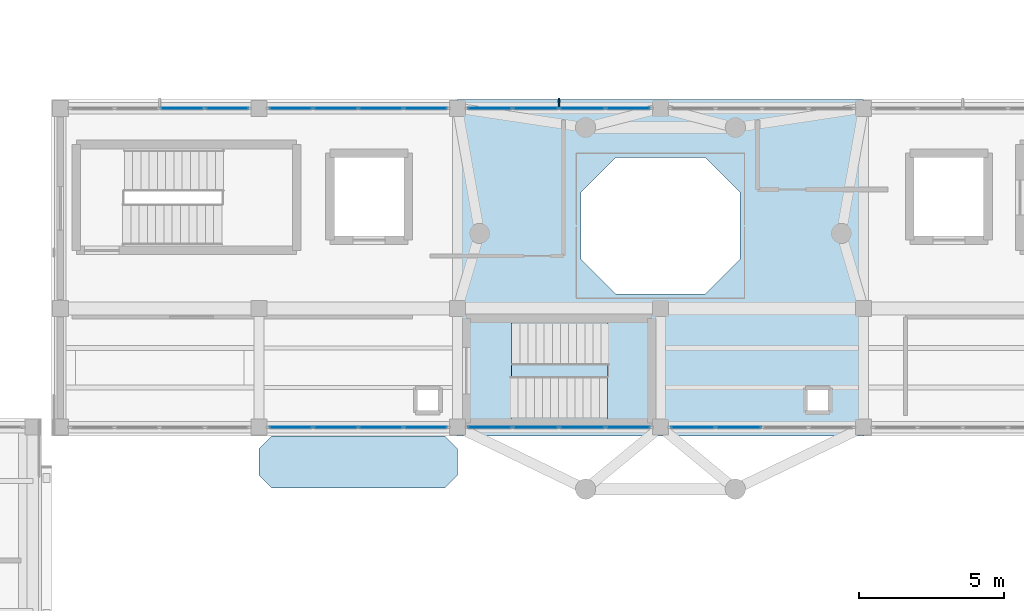
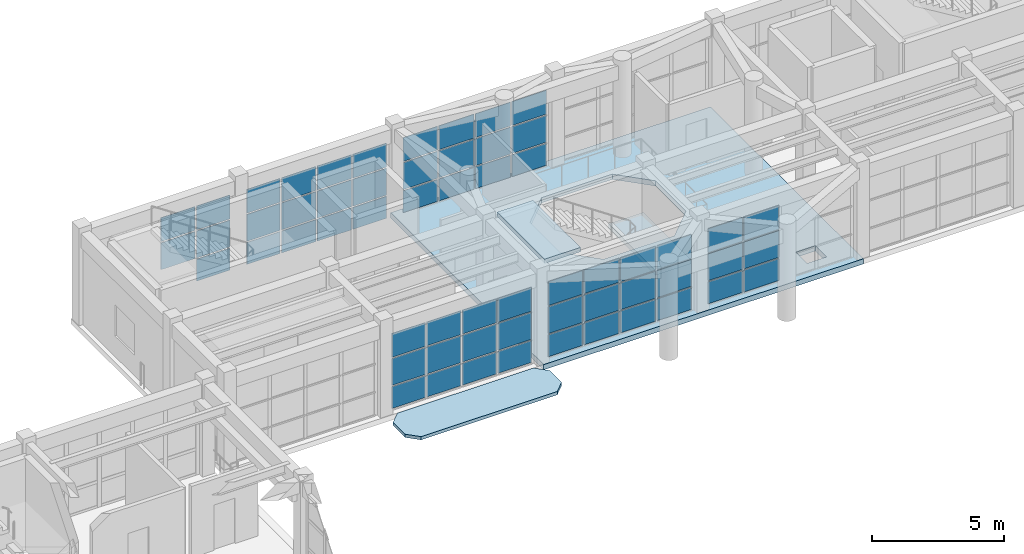
# One storey, part 53 of 85: 60 plates, 4 slabs, 7 elements without a shape of their own.
"""IFC4 building model written with IfcOpenShell, lengths in metres."""

from ifc_helpers import new_model, si_unit, direction, frame, origin, origin_2d, place, context, subcontext, project, spatial, polyline, rectangle, outline, extrude, material, layer, layer_set, type_object, element, aggregate, save


model = new_model("IFC4")

# Units and contexts
model_context = context("Model", 3, precision=1e-05, world=origin(), true_north=direction((0.0, 1.0)))
body_context = subcontext(model_context, "Body", "Model", "MODEL_VIEW")
ifc_project = project(units=[si_unit("LENGTHUNIT", "METRE"), si_unit("AREAUNIT", "SQUARE_METRE"), si_unit("VOLUMEUNIT", "CUBIC_METRE"), si_unit("PLANEANGLEUNIT", "RADIAN"), si_unit("MASSUNIT", "GRAM", prefix="KILO")], contexts=[model_context])

# Site, building, storey
site_placement = place(None, origin())
site = spatial("IfcSite", under=ifc_project, at=site_placement, CompositionType="ELEMENT")
building_placement = place(site_placement, origin())
building = spatial("IfcBuilding", under=site, at=building_placement, Name="Candilejo Ridge Gondola Terminal", CompositionType="ELEMENT")
storey_placement = place(building_placement, frame((0.0, 0.0, 4.5)))
storey = spatial("IfcBuildingStorey", under=building, at=storey_placement, Name="L01", CompositionType="ELEMENT", Elevation=4.5)

# Curtain wall, plates
ifc_material_1 = material(Name="Anodised aluminium AA 6063-T6", Category="aluminium")
ifc_layer_1 = layer(ifc_material_1, 0.169921875)
ifc_layer_set_1 = layer_set([ifc_layer_1], Name="ARC-CW-DRUM-3400-625X359")
curtain_wall_type_1 = type_object("IfcCurtainWallType", Name="ARC-CW-DRUM-3400-625X359", PredefinedType="NOTDEFINED", material=ifc_layer_set_1)
curtain_wall_1_placement = place(storey_placement, origin())
curtain_wall_1 = element("IfcCurtainWall", 1, at=curtain_wall_1_placement, inside=storey, type_object=curtain_wall_type_1, Name="Curtain wall V2 L01-034", PredefinedType="NOTDEFINED")
ifc_material_2 = material(Name="Low-E laminated double glazing 6+12A+6+1.52PVB+6 mm", Category="glass")
ifc_layer_2 = layer(ifc_material_2, 0.028076171875)
ifc_layer_set_2 = layer_set([ifc_layer_2], Name="ARC-CW-GLAZ-PANEL")
plate_type_1 = type_object("IfcPlateType", Name="ARC-CW-GLAZ-PANEL", PredefinedType="CURTAIN_PANEL", material=ifc_layer_set_2)
plate_1_placement = place(storey_placement, frame((48.856201171875, 36.699951171875, 1.1298828125), z_axis=(0.0, 0.0, 1.0), x_axis=(1.0, 0.0, 0.0)))
plate_1 = element("IfcPlate", 2, at=plate_1_placement, type_object=plate_type_1, Name="CW-62X35 panel 3.2", PredefinedType="CURTAIN_PANEL", context=body_context, shape_type="SweptSolid", body=[
    extrude(rectangle(XDim=1.49755859375, YDim=0.028076171875, at=origin_2d()), origin(), (0.0, 0.0, 1.0), 1.239990234375),
])
plate_2_placement = place(storey_placement, frame((48.856201171875, 36.699951171875, 2.429931640625), z_axis=(0.0, 0.0, 1.0), x_axis=(1.0, 0.0, 0.0)))
plate_2 = element("IfcPlate", 3, at=plate_2_placement, type_object=plate_type_1, Name="CW-62X35 panel 3.3", PredefinedType="CURTAIN_PANEL", context=body_context, shape_type="SweptSolid", body=[
    extrude(rectangle(XDim=1.49755859375, YDim=0.028076171875, at=origin_2d()), origin(), (0.0, 0.0, 1.0), 1.10009765625),
])
plate_3_placement = place(storey_placement, frame((50.402587890625, 36.699951171875, 0.06005859375), z_axis=(0.0, 0.0, 1.0), x_axis=(1.0, 0.0, 0.0)))
plate_3 = element("IfcPlate", 4, at=plate_3_placement, type_object=plate_type_1, Name="CW-62X35 panel 4.1", PredefinedType="CURTAIN_PANEL", context=body_context, shape_type="SweptSolid", body=[
    extrude(rectangle(XDim=1.465087890625, YDim=0.028076171875, at=origin_2d()), origin(), (0.0, 0.0, 1.0), 1.010009765625),
])
plate_4_placement = place(storey_placement, frame((50.402587890625, 36.699951171875, 1.1298828125), z_axis=(0.0, 0.0, 1.0), x_axis=(1.0, 0.0, 0.0)))
plate_4 = element("IfcPlate", 5, at=plate_4_placement, type_object=plate_type_1, Name="CW-62X35 panel 4.2", PredefinedType="CURTAIN_PANEL", context=body_context, shape_type="SweptSolid", body=[
    extrude(rectangle(XDim=1.465087890625, YDim=0.028076171875, at=origin_2d()), origin(), (0.0, 0.0, 1.0), 1.239990234375),
])
plate_5_placement = place(storey_placement, frame((50.402587890625, 36.699951171875, 2.429931640625), z_axis=(0.0, 0.0, 1.0), x_axis=(1.0, 0.0, 0.0)))
plate_5 = element("IfcPlate", 6, at=plate_5_placement, type_object=plate_type_1, Name="CW-62X35 panel 4.3", PredefinedType="CURTAIN_PANEL", context=body_context, shape_type="SweptSolid", body=[
    extrude(rectangle(XDim=1.465087890625, YDim=0.028076171875, at=origin_2d()), origin(), (0.0, 0.0, 1.0), 1.10009765625),
])
aggregate(curtain_wall_1, [plate_1, plate_2, plate_3, plate_4, plate_5])

curtain_wall_2_placement = place(storey_placement, origin())
curtain_wall_2 = element("IfcCurtainWall", 7, at=curtain_wall_2_placement, inside=storey, type_object=curtain_wall_type_1, Name="Curtain wall V2 L01-036", PredefinedType="NOTDEFINED")
plate_6_placement = place(storey_placement, frame((52.597412109375, 36.699951171875, 0.06005859375), z_axis=(0.0, 0.0, 1.0), x_axis=(1.0, 0.0, 0.0)))
plate_6 = element("IfcPlate", 8, at=plate_6_placement, type_object=plate_type_1, Name="CW-62X35 panel 1.1", PredefinedType="CURTAIN_PANEL", context=body_context, shape_type="SweptSolid", body=[
    extrude(rectangle(XDim=1.465087890625, YDim=0.028076171875, at=origin_2d()), origin(), (0.0, 0.0, 1.0), 1.010009765625),
])
plate_7_placement = place(storey_placement, frame((52.597412109375, 36.699951171875, 1.1298828125), z_axis=(0.0, 0.0, 1.0), x_axis=(1.0, 0.0, 0.0)))
plate_7 = element("IfcPlate", 9, at=plate_7_placement, type_object=plate_type_1, Name="CW-62X35 panel 1.2", PredefinedType="CURTAIN_PANEL", context=body_context, shape_type="SweptSolid", body=[
    extrude(rectangle(XDim=1.465087890625, YDim=0.028076171875, at=origin_2d()), origin(), (0.0, 0.0, 1.0), 1.239990234375),
])
plate_8_placement = place(storey_placement, frame((52.597412109375, 36.699951171875, 2.429931640625), z_axis=(0.0, 0.0, 1.0), x_axis=(1.0, 0.0, 0.0)))
plate_8 = element("IfcPlate", 10, at=plate_8_placement, type_object=plate_type_1, Name="CW-62X35 panel 1.3", PredefinedType="CURTAIN_PANEL", context=body_context, shape_type="SweptSolid", body=[
    extrude(rectangle(XDim=1.465087890625, YDim=0.028076171875, at=origin_2d()), origin(), (0.0, 0.0, 1.0), 1.10009765625),
])
plate_9_placement = place(storey_placement, frame((54.143798828125, 36.699951171875, 0.06005859375), z_axis=(0.0, 0.0, 1.0), x_axis=(1.0, 0.0, 0.0)))
plate_9 = element("IfcPlate", 11, at=plate_9_placement, type_object=plate_type_1, Name="CW-62X35 panel 2.1", PredefinedType="CURTAIN_PANEL", context=body_context, shape_type="SweptSolid", body=[
    extrude(rectangle(XDim=1.49755859375, YDim=0.028076171875, at=origin_2d()), origin(), (0.0, 0.0, 1.0), 1.010009765625),
])
plate_10_placement = place(storey_placement, frame((54.143798828125, 36.699951171875, 1.1298828125), z_axis=(0.0, 0.0, 1.0), x_axis=(1.0, 0.0, 0.0)))
plate_10 = element("IfcPlate", 12, at=plate_10_placement, type_object=plate_type_1, Name="CW-62X35 panel 2.2", PredefinedType="CURTAIN_PANEL", context=body_context, shape_type="SweptSolid", body=[
    extrude(rectangle(XDim=1.49755859375, YDim=0.028076171875, at=origin_2d()), origin(), (0.0, 0.0, 1.0), 1.239990234375),
])
plate_11_placement = place(storey_placement, frame((54.143798828125, 36.699951171875, 2.429931640625), z_axis=(0.0, 0.0, 1.0), x_axis=(1.0, 0.0, 0.0)))
plate_11 = element("IfcPlate", 13, at=plate_11_placement, type_object=plate_type_1, Name="CW-62X35 panel 2.3", PredefinedType="CURTAIN_PANEL", context=body_context, shape_type="SweptSolid", body=[
    extrude(rectangle(XDim=1.49755859375, YDim=0.028076171875, at=origin_2d()), origin(), (0.0, 0.0, 1.0), 1.10009765625),
])
plate_12_placement = place(storey_placement, frame((55.706298828125, 36.699951171875, 0.06005859375), z_axis=(0.0, 0.0, 1.0), x_axis=(1.0, 0.0, 0.0)))
plate_12 = element("IfcPlate", 14, at=plate_12_placement, type_object=plate_type_1, Name="CW-62X35 panel 3.1", PredefinedType="CURTAIN_PANEL", context=body_context, shape_type="SweptSolid", body=[
    extrude(rectangle(XDim=1.49755859375, YDim=0.028076171875, at=origin_2d()), origin(), (0.0, 0.0, 1.0), 1.010009765625),
])
plate_13_placement = place(storey_placement, frame((55.706298828125, 36.699951171875, 1.1298828125), z_axis=(0.0, 0.0, 1.0), x_axis=(1.0, 0.0, 0.0)))
plate_13 = element("IfcPlate", 15, at=plate_13_placement, type_object=plate_type_1, Name="CW-62X35 panel 3.2", PredefinedType="CURTAIN_PANEL", context=body_context, shape_type="SweptSolid", body=[
    extrude(rectangle(XDim=1.49755859375, YDim=0.028076171875, at=origin_2d()), origin(), (0.0, 0.0, 1.0), 1.239990234375),
])
plate_14_placement = place(storey_placement, frame((55.706298828125, 36.699951171875, 2.429931640625), z_axis=(0.0, 0.0, 1.0), x_axis=(1.0, 0.0, 0.0)))
plate_14 = element("IfcPlate", 16, at=plate_14_placement, type_object=plate_type_1, Name="CW-62X35 panel 3.3", PredefinedType="CURTAIN_PANEL", context=body_context, shape_type="SweptSolid", body=[
    extrude(rectangle(XDim=1.49755859375, YDim=0.028076171875, at=origin_2d()), origin(), (0.0, 0.0, 1.0), 1.10009765625),
])
plate_15_placement = place(storey_placement, frame((57.25244140625, 36.699951171875, 0.06005859375), z_axis=(0.0, 0.0, 1.0), x_axis=(1.0, 0.0, 0.0)))
plate_15 = element("IfcPlate", 17, at=plate_15_placement, type_object=plate_type_1, Name="CW-62X35 panel 4.1", PredefinedType="CURTAIN_PANEL", context=body_context, shape_type="SweptSolid", body=[
    extrude(rectangle(XDim=1.465087890625, YDim=0.028076171875, at=origin_2d()), origin(), (0.0, 0.0, 1.0), 1.010009765625),
])
plate_16_placement = place(storey_placement, frame((57.25244140625, 36.699951171875, 1.1298828125), z_axis=(0.0, 0.0, 1.0), x_axis=(1.0, 0.0, 0.0)))
plate_16 = element("IfcPlate", 18, at=plate_16_placement, type_object=plate_type_1, Name="CW-62X35 panel 4.2", PredefinedType="CURTAIN_PANEL", context=body_context, shape_type="SweptSolid", body=[
    extrude(rectangle(XDim=1.465087890625, YDim=0.028076171875, at=origin_2d()), origin(), (0.0, 0.0, 1.0), 1.239990234375),
])
plate_17_placement = place(storey_placement, frame((57.25244140625, 36.699951171875, 2.429931640625), z_axis=(0.0, 0.0, 1.0), x_axis=(1.0, 0.0, 0.0)))
plate_17 = element("IfcPlate", 19, at=plate_17_placement, type_object=plate_type_1, Name="CW-62X35 panel 4.3", PredefinedType="CURTAIN_PANEL", context=body_context, shape_type="SweptSolid", body=[
    extrude(rectangle(XDim=1.465087890625, YDim=0.028076171875, at=origin_2d()), origin(), (0.0, 0.0, 1.0), 1.10009765625),
])
aggregate(curtain_wall_2, [plate_6, plate_7, plate_8, plate_9, plate_10, plate_11, plate_12, plate_13, plate_14, plate_15, plate_16, plate_17])

curtain_wall_3_placement = place(storey_placement, origin())
curtain_wall_3 = element("IfcCurtainWall", 20, at=curtain_wall_3_placement, inside=storey, type_object=curtain_wall_type_1, Name="Curtain wall V2 L01-037", PredefinedType="NOTDEFINED")
plate_18_placement = place(storey_placement, frame((52.597412109375, 25.699951171875, 0.06005859375), z_axis=(0.0, 0.0, 1.0), x_axis=(1.0, 0.0, 0.0)))
plate_18 = element("IfcPlate", 21, at=plate_18_placement, type_object=plate_type_1, Name="CW-62X35 panel 1.1", PredefinedType="CURTAIN_PANEL", context=body_context, shape_type="SweptSolid", body=[
    extrude(rectangle(XDim=1.465087890625, YDim=0.028076171875, at=origin_2d()), origin(), (0.0, 0.0, 1.0), 1.010009765625),
])
plate_19_placement = place(storey_placement, frame((52.597412109375, 25.699951171875, 1.1298828125), z_axis=(0.0, 0.0, 1.0), x_axis=(1.0, 0.0, 0.0)))
plate_19 = element("IfcPlate", 22, at=plate_19_placement, type_object=plate_type_1, Name="CW-62X35 panel 1.2", PredefinedType="CURTAIN_PANEL", context=body_context, shape_type="SweptSolid", body=[
    extrude(rectangle(XDim=1.465087890625, YDim=0.028076171875, at=origin_2d()), origin(), (0.0, 0.0, 1.0), 1.239990234375),
])
plate_20_placement = place(storey_placement, frame((52.597412109375, 25.699951171875, 2.429931640625), z_axis=(0.0, 0.0, 1.0), x_axis=(1.0, 0.0, 0.0)))
plate_20 = element("IfcPlate", 23, at=plate_20_placement, type_object=plate_type_1, Name="CW-62X35 panel 1.3", PredefinedType="CURTAIN_PANEL", context=body_context, shape_type="SweptSolid", body=[
    extrude(rectangle(XDim=1.465087890625, YDim=0.028076171875, at=origin_2d()), origin(), (0.0, 0.0, 1.0), 1.10009765625),
])
plate_21_placement = place(storey_placement, frame((54.143798828125, 25.699951171875, 0.06005859375), z_axis=(0.0, 0.0, 1.0), x_axis=(1.0, 0.0, 0.0)))
plate_21 = element("IfcPlate", 24, at=plate_21_placement, type_object=plate_type_1, Name="CW-62X35 panel 2.1", PredefinedType="CURTAIN_PANEL", context=body_context, shape_type="SweptSolid", body=[
    extrude(rectangle(XDim=1.49755859375, YDim=0.028076171875, at=origin_2d()), origin(), (0.0, 0.0, 1.0), 1.010009765625),
])
plate_22_placement = place(storey_placement, frame((54.143798828125, 25.699951171875, 1.1298828125), z_axis=(0.0, 0.0, 1.0), x_axis=(1.0, 0.0, 0.0)))
plate_22 = element("IfcPlate", 25, at=plate_22_placement, type_object=plate_type_1, Name="CW-62X35 panel 2.2", PredefinedType="CURTAIN_PANEL", context=body_context, shape_type="SweptSolid", body=[
    extrude(rectangle(XDim=1.49755859375, YDim=0.028076171875, at=origin_2d()), origin(), (0.0, 0.0, 1.0), 1.239990234375),
])
plate_23_placement = place(storey_placement, frame((54.143798828125, 25.699951171875, 2.429931640625), z_axis=(0.0, 0.0, 1.0), x_axis=(1.0, 0.0, 0.0)))
plate_23 = element("IfcPlate", 26, at=plate_23_placement, type_object=plate_type_1, Name="CW-62X35 panel 2.3", PredefinedType="CURTAIN_PANEL", context=body_context, shape_type="SweptSolid", body=[
    extrude(rectangle(XDim=1.49755859375, YDim=0.028076171875, at=origin_2d()), origin(), (0.0, 0.0, 1.0), 1.10009765625),
])
plate_24_placement = place(storey_placement, frame((55.706298828125, 25.699951171875, 0.06005859375), z_axis=(0.0, 0.0, 1.0), x_axis=(1.0, 0.0, 0.0)))
plate_24 = element("IfcPlate", 27, at=plate_24_placement, type_object=plate_type_1, Name="CW-62X35 panel 3.1", PredefinedType="CURTAIN_PANEL", context=body_context, shape_type="SweptSolid", body=[
    extrude(rectangle(XDim=1.49755859375, YDim=0.028076171875, at=origin_2d()), origin(), (0.0, 0.0, 1.0), 1.010009765625),
])
plate_25_placement = place(storey_placement, frame((55.706298828125, 25.699951171875, 1.1298828125), z_axis=(0.0, 0.0, 1.0), x_axis=(1.0, 0.0, 0.0)))
plate_25 = element("IfcPlate", 28, at=plate_25_placement, type_object=plate_type_1, Name="CW-62X35 panel 3.2", PredefinedType="CURTAIN_PANEL", context=body_context, shape_type="SweptSolid", body=[
    extrude(rectangle(XDim=1.49755859375, YDim=0.028076171875, at=origin_2d()), origin(), (0.0, 0.0, 1.0), 1.239990234375),
])
plate_26_placement = place(storey_placement, frame((55.706298828125, 25.699951171875, 2.429931640625), z_axis=(0.0, 0.0, 1.0), x_axis=(1.0, 0.0, 0.0)))
plate_26 = element("IfcPlate", 29, at=plate_26_placement, type_object=plate_type_1, Name="CW-62X35 panel 3.3", PredefinedType="CURTAIN_PANEL", context=body_context, shape_type="SweptSolid", body=[
    extrude(rectangle(XDim=1.49755859375, YDim=0.028076171875, at=origin_2d()), origin(), (0.0, 0.0, 1.0), 1.10009765625),
])
plate_27_placement = place(storey_placement, frame((57.25244140625, 25.699951171875, 0.06005859375), z_axis=(0.0, 0.0, 1.0), x_axis=(1.0, 0.0, 0.0)))
plate_27 = element("IfcPlate", 30, at=plate_27_placement, type_object=plate_type_1, Name="CW-62X35 panel 4.1", PredefinedType="CURTAIN_PANEL", context=body_context, shape_type="SweptSolid", body=[
    extrude(rectangle(XDim=1.465087890625, YDim=0.028076171875, at=origin_2d()), origin(), (0.0, 0.0, 1.0), 1.010009765625),
])
plate_28_placement = place(storey_placement, frame((57.25244140625, 25.699951171875, 1.1298828125), z_axis=(0.0, 0.0, 1.0), x_axis=(1.0, 0.0, 0.0)))
plate_28 = element("IfcPlate", 31, at=plate_28_placement, type_object=plate_type_1, Name="CW-62X35 panel 4.2", PredefinedType="CURTAIN_PANEL", context=body_context, shape_type="SweptSolid", body=[
    extrude(rectangle(XDim=1.465087890625, YDim=0.028076171875, at=origin_2d()), origin(), (0.0, 0.0, 1.0), 1.239990234375),
])
plate_29_placement = place(storey_placement, frame((57.25244140625, 25.699951171875, 2.429931640625), z_axis=(0.0, 0.0, 1.0), x_axis=(1.0, 0.0, 0.0)))
plate_29 = element("IfcPlate", 32, at=plate_29_placement, type_object=plate_type_1, Name="CW-62X35 panel 4.3", PredefinedType="CURTAIN_PANEL", context=body_context, shape_type="SweptSolid", body=[
    extrude(rectangle(XDim=1.465087890625, YDim=0.028076171875, at=origin_2d()), origin(), (0.0, 0.0, 1.0), 1.10009765625),
])
aggregate(curtain_wall_3, [plate_18, plate_19, plate_20, plate_21, plate_22, plate_23, plate_24, plate_25, plate_26, plate_27, plate_28, plate_29])

ifc_material_3 = material(Name="Anodised aluminium AA 6063-T6", Category="aluminium")
ifc_layer_3 = layer(ifc_material_3, 0.169921875)
ifc_layer_set_3 = layer_set([ifc_layer_3], Name="ARC-CW-DRUM-3400-640X359")
curtain_wall_type_2 = type_object("IfcCurtainWallType", Name="ARC-CW-DRUM-3400-640X359", PredefinedType="NOTDEFINED", material=ifc_layer_set_3)
curtain_wall_4_placement = place(storey_placement, origin())
curtain_wall_4 = element("IfcCurtainWall", 33, at=curtain_wall_4_placement, inside=storey, type_object=curtain_wall_type_2, Name="Curtain wall V2 L01-038", PredefinedType="NOTDEFINED")
plate_30_placement = place(storey_placement, frame((59.46630859375, 36.699951171875, 0.06005859375), z_axis=(0.0, 0.0, 1.0), x_axis=(1.0, 0.0, 0.0)))
plate_30 = element("IfcPlate", 34, at=plate_30_placement, type_object=plate_type_1, Name="CW-64X35 panel 1.1", PredefinedType="CURTAIN_PANEL", context=body_context, shape_type="SweptSolid", body=[
    extrude(rectangle(XDim=1.50244140625, YDim=0.028076171875, at=origin_2d()), origin(), (0.0, 0.0, 1.0), 1.010009765625),
])
plate_31_placement = place(storey_placement, frame((59.46630859375, 36.699951171875, 1.1298828125), z_axis=(0.0, 0.0, 1.0), x_axis=(1.0, 0.0, 0.0)))
plate_31 = element("IfcPlate", 35, at=plate_31_placement, type_object=plate_type_1, Name="CW-64X35 panel 1.2", PredefinedType="CURTAIN_PANEL", context=body_context, shape_type="SweptSolid", body=[
    extrude(rectangle(XDim=1.50244140625, YDim=0.028076171875, at=origin_2d()), origin(), (0.0, 0.0, 1.0), 1.239990234375),
])
plate_32_placement = place(storey_placement, frame((59.46630859375, 36.699951171875, 2.429931640625), z_axis=(0.0, 0.0, 1.0), x_axis=(1.0, 0.0, 0.0)))
plate_32 = element("IfcPlate", 36, at=plate_32_placement, type_object=plate_type_1, Name="CW-64X35 panel 1.3", PredefinedType="CURTAIN_PANEL", context=body_context, shape_type="SweptSolid", body=[
    extrude(rectangle(XDim=1.50244140625, YDim=0.028076171875, at=origin_2d()), origin(), (0.0, 0.0, 1.0), 1.10009765625),
])
plate_33_placement = place(storey_placement, frame((61.050048828125, 36.699951171875, 0.06005859375), z_axis=(0.0, 0.0, 1.0), x_axis=(1.0, 0.0, 0.0)))
plate_33 = element("IfcPlate", 37, at=plate_33_placement, type_object=plate_type_1, Name="CW-64X35 panel 2.1", PredefinedType="CURTAIN_PANEL", context=body_context, shape_type="SweptSolid", body=[
    extrude(rectangle(XDim=1.534912109375, YDim=0.028076171875, at=origin_2d()), origin(), (0.0, 0.0, 1.0), 1.010009765625),
])
plate_34_placement = place(storey_placement, frame((61.050048828125, 36.699951171875, 1.1298828125), z_axis=(0.0, 0.0, 1.0), x_axis=(1.0, 0.0, 0.0)))
plate_34 = element("IfcPlate", 38, at=plate_34_placement, type_object=plate_type_1, Name="CW-64X35 panel 2.2", PredefinedType="CURTAIN_PANEL", context=body_context, shape_type="SweptSolid", body=[
    extrude(rectangle(XDim=1.534912109375, YDim=0.028076171875, at=origin_2d()), origin(), (0.0, 0.0, 1.0), 1.239990234375),
])
plate_35_placement = place(storey_placement, frame((61.050048828125, 36.699951171875, 2.429931640625), z_axis=(0.0, 0.0, 1.0), x_axis=(1.0, 0.0, 0.0)))
plate_35 = element("IfcPlate", 39, at=plate_35_placement, type_object=plate_type_1, Name="CW-64X35 panel 2.3", PredefinedType="CURTAIN_PANEL", context=body_context, shape_type="SweptSolid", body=[
    extrude(rectangle(XDim=1.534912109375, YDim=0.028076171875, at=origin_2d()), origin(), (0.0, 0.0, 1.0), 1.10009765625),
])
plate_36_placement = place(storey_placement, frame((62.64990234375, 36.699951171875, 0.06005859375), z_axis=(0.0, 0.0, 1.0), x_axis=(1.0, 0.0, 0.0)))
plate_36 = element("IfcPlate", 40, at=plate_36_placement, type_object=plate_type_1, Name="CW-64X35 panel 3.1", PredefinedType="CURTAIN_PANEL", context=body_context, shape_type="SweptSolid", body=[
    extrude(rectangle(XDim=1.534912109375, YDim=0.028076171875, at=origin_2d()), origin(), (0.0, 0.0, 1.0), 1.010009765625),
])
plate_37_placement = place(storey_placement, frame((62.64990234375, 36.699951171875, 1.1298828125), z_axis=(0.0, 0.0, 1.0), x_axis=(1.0, 0.0, 0.0)))
plate_37 = element("IfcPlate", 41, at=plate_37_placement, type_object=plate_type_1, Name="CW-64X35 panel 3.2", PredefinedType="CURTAIN_PANEL", context=body_context, shape_type="SweptSolid", body=[
    extrude(rectangle(XDim=1.534912109375, YDim=0.028076171875, at=origin_2d()), origin(), (0.0, 0.0, 1.0), 1.239990234375),
])
plate_38_placement = place(storey_placement, frame((62.64990234375, 36.699951171875, 2.429931640625), z_axis=(0.0, 0.0, 1.0), x_axis=(1.0, 0.0, 0.0)))
plate_38 = element("IfcPlate", 42, at=plate_38_placement, type_object=plate_type_1, Name="CW-64X35 panel 3.3", PredefinedType="CURTAIN_PANEL", context=body_context, shape_type="SweptSolid", body=[
    extrude(rectangle(XDim=1.534912109375, YDim=0.028076171875, at=origin_2d()), origin(), (0.0, 0.0, 1.0), 1.10009765625),
])
plate_39_placement = place(storey_placement, frame((64.233642578125, 36.699951171875, 0.06005859375), z_axis=(0.0, 0.0, 1.0), x_axis=(1.0, 0.0, 0.0)))
plate_39 = element("IfcPlate", 43, at=plate_39_placement, type_object=plate_type_1, Name="CW-64X35 panel 4.1", PredefinedType="CURTAIN_PANEL", context=body_context, shape_type="SweptSolid", body=[
    extrude(rectangle(XDim=1.50244140625, YDim=0.028076171875, at=origin_2d()), origin(), (0.0, 0.0, 1.0), 1.010009765625),
])
plate_40_placement = place(storey_placement, frame((64.233642578125, 36.699951171875, 1.1298828125), z_axis=(0.0, 0.0, 1.0), x_axis=(1.0, 0.0, 0.0)))
plate_40 = element("IfcPlate", 44, at=plate_40_placement, type_object=plate_type_1, Name="CW-64X35 panel 4.2", PredefinedType="CURTAIN_PANEL", context=body_context, shape_type="SweptSolid", body=[
    extrude(rectangle(XDim=1.50244140625, YDim=0.028076171875, at=origin_2d()), origin(), (0.0, 0.0, 1.0), 1.239990234375),
])
plate_41_placement = place(storey_placement, frame((64.233642578125, 36.699951171875, 2.429931640625), z_axis=(0.0, 0.0, 1.0), x_axis=(1.0, 0.0, 0.0)))
plate_41 = element("IfcPlate", 45, at=plate_41_placement, type_object=plate_type_1, Name="CW-64X35 panel 4.3", PredefinedType="CURTAIN_PANEL", context=body_context, shape_type="SweptSolid", body=[
    extrude(rectangle(XDim=1.50244140625, YDim=0.028076171875, at=origin_2d()), origin(), (0.0, 0.0, 1.0), 1.10009765625),
])
aggregate(curtain_wall_4, [plate_30, plate_31, plate_32, plate_33, plate_34, plate_35, plate_36, plate_37, plate_38, plate_39, plate_40, plate_41])

curtain_wall_5_placement = place(storey_placement, origin())
curtain_wall_5 = element("IfcCurtainWall", 46, at=curtain_wall_5_placement, inside=storey, type_object=curtain_wall_type_2, Name="Curtain wall V2 L01-039", PredefinedType="NOTDEFINED")
plate_42_placement = place(storey_placement, frame((59.46630859375, 25.699951171875, 0.06005859375), z_axis=(0.0, 0.0, 1.0), x_axis=(1.0, 0.0, 0.0)))
plate_42 = element("IfcPlate", 47, at=plate_42_placement, type_object=plate_type_1, Name="CW-64X35 panel 1.1", PredefinedType="CURTAIN_PANEL", context=body_context, shape_type="SweptSolid", body=[
    extrude(rectangle(XDim=1.50244140625, YDim=0.028076171875, at=origin_2d()), origin(), (0.0, 0.0, 1.0), 1.010009765625),
])
plate_43_placement = place(storey_placement, frame((59.46630859375, 25.699951171875, 1.1298828125), z_axis=(0.0, 0.0, 1.0), x_axis=(1.0, 0.0, 0.0)))
plate_43 = element("IfcPlate", 48, at=plate_43_placement, type_object=plate_type_1, Name="CW-64X35 panel 1.2", PredefinedType="CURTAIN_PANEL", context=body_context, shape_type="SweptSolid", body=[
    extrude(rectangle(XDim=1.50244140625, YDim=0.028076171875, at=origin_2d()), origin(), (0.0, 0.0, 1.0), 1.239990234375),
])
plate_44_placement = place(storey_placement, frame((59.46630859375, 25.699951171875, 2.429931640625), z_axis=(0.0, 0.0, 1.0), x_axis=(1.0, 0.0, 0.0)))
plate_44 = element("IfcPlate", 49, at=plate_44_placement, type_object=plate_type_1, Name="CW-64X35 panel 1.3", PredefinedType="CURTAIN_PANEL", context=body_context, shape_type="SweptSolid", body=[
    extrude(rectangle(XDim=1.50244140625, YDim=0.028076171875, at=origin_2d()), origin(), (0.0, 0.0, 1.0), 1.10009765625),
])
plate_45_placement = place(storey_placement, frame((61.050048828125, 25.699951171875, 0.06005859375), z_axis=(0.0, 0.0, 1.0), x_axis=(1.0, 0.0, 0.0)))
plate_45 = element("IfcPlate", 50, at=plate_45_placement, type_object=plate_type_1, Name="CW-64X35 panel 2.1", PredefinedType="CURTAIN_PANEL", context=body_context, shape_type="SweptSolid", body=[
    extrude(rectangle(XDim=1.534912109375, YDim=0.028076171875, at=origin_2d()), origin(), (0.0, 0.0, 1.0), 1.010009765625),
])
plate_46_placement = place(storey_placement, frame((61.050048828125, 25.699951171875, 1.1298828125), z_axis=(0.0, 0.0, 1.0), x_axis=(1.0, 0.0, 0.0)))
plate_46 = element("IfcPlate", 51, at=plate_46_placement, type_object=plate_type_1, Name="CW-64X35 panel 2.2", PredefinedType="CURTAIN_PANEL", context=body_context, shape_type="SweptSolid", body=[
    extrude(rectangle(XDim=1.534912109375, YDim=0.028076171875, at=origin_2d()), origin(), (0.0, 0.0, 1.0), 1.239990234375),
])
plate_47_placement = place(storey_placement, frame((61.050048828125, 25.699951171875, 2.429931640625), z_axis=(0.0, 0.0, 1.0), x_axis=(1.0, 0.0, 0.0)))
plate_47 = element("IfcPlate", 52, at=plate_47_placement, type_object=plate_type_1, Name="CW-64X35 panel 2.3", PredefinedType="CURTAIN_PANEL", context=body_context, shape_type="SweptSolid", body=[
    extrude(rectangle(XDim=1.534912109375, YDim=0.028076171875, at=origin_2d()), origin(), (0.0, 0.0, 1.0), 1.10009765625),
])
plate_48_placement = place(storey_placement, frame((62.64990234375, 25.699951171875, 0.06005859375), z_axis=(0.0, 0.0, 1.0), x_axis=(1.0, 0.0, 0.0)))
plate_48 = element("IfcPlate", 53, at=plate_48_placement, type_object=plate_type_1, Name="CW-64X35 panel 3.1", PredefinedType="CURTAIN_PANEL", context=body_context, shape_type="SweptSolid", body=[
    extrude(rectangle(XDim=1.534912109375, YDim=0.028076171875, at=origin_2d()), origin(), (0.0, 0.0, 1.0), 1.010009765625),
])
plate_49_placement = place(storey_placement, frame((62.64990234375, 25.699951171875, 1.1298828125), z_axis=(0.0, 0.0, 1.0), x_axis=(1.0, 0.0, 0.0)))
plate_49 = element("IfcPlate", 54, at=plate_49_placement, type_object=plate_type_1, Name="CW-64X35 panel 3.2", PredefinedType="CURTAIN_PANEL", context=body_context, shape_type="SweptSolid", body=[
    extrude(rectangle(XDim=1.534912109375, YDim=0.028076171875, at=origin_2d()), origin(), (0.0, 0.0, 1.0), 1.239990234375),
])
plate_50_placement = place(storey_placement, frame((62.64990234375, 25.699951171875, 2.429931640625), z_axis=(0.0, 0.0, 1.0), x_axis=(1.0, 0.0, 0.0)))
plate_50 = element("IfcPlate", 55, at=plate_50_placement, type_object=plate_type_1, Name="CW-64X35 panel 3.3", PredefinedType="CURTAIN_PANEL", context=body_context, shape_type="SweptSolid", body=[
    extrude(rectangle(XDim=1.534912109375, YDim=0.028076171875, at=origin_2d()), origin(), (0.0, 0.0, 1.0), 1.10009765625),
])
plate_51_placement = place(storey_placement, frame((64.233642578125, 25.699951171875, 0.06005859375), z_axis=(0.0, 0.0, 1.0), x_axis=(1.0, 0.0, 0.0)))
plate_51 = element("IfcPlate", 56, at=plate_51_placement, type_object=plate_type_1, Name="CW-64X35 panel 4.1", PredefinedType="CURTAIN_PANEL", context=body_context, shape_type="SweptSolid", body=[
    extrude(rectangle(XDim=1.50244140625, YDim=0.028076171875, at=origin_2d()), origin(), (0.0, 0.0, 1.0), 1.010009765625),
])
plate_52_placement = place(storey_placement, frame((64.233642578125, 25.699951171875, 1.1298828125), z_axis=(0.0, 0.0, 1.0), x_axis=(1.0, 0.0, 0.0)))
plate_52 = element("IfcPlate", 57, at=plate_52_placement, type_object=plate_type_1, Name="CW-64X35 panel 4.2", PredefinedType="CURTAIN_PANEL", context=body_context, shape_type="SweptSolid", body=[
    extrude(rectangle(XDim=1.50244140625, YDim=0.028076171875, at=origin_2d()), origin(), (0.0, 0.0, 1.0), 1.239990234375),
])
plate_53_placement = place(storey_placement, frame((64.233642578125, 25.699951171875, 2.429931640625), z_axis=(0.0, 0.0, 1.0), x_axis=(1.0, 0.0, 0.0)))
plate_53 = element("IfcPlate", 58, at=plate_53_placement, type_object=plate_type_1, Name="CW-64X35 panel 4.3", PredefinedType="CURTAIN_PANEL", context=body_context, shape_type="SweptSolid", body=[
    extrude(rectangle(XDim=1.50244140625, YDim=0.028076171875, at=origin_2d()), origin(), (0.0, 0.0, 1.0), 1.10009765625),
])
aggregate(curtain_wall_5, [plate_42, plate_43, plate_44, plate_45, plate_46, plate_47, plate_48, plate_49, plate_50, plate_51, plate_52, plate_53])

curtain_wall_6_placement = place(storey_placement, origin())
curtain_wall_6 = element("IfcCurtainWall", 59, at=curtain_wall_6_placement, inside=storey, type_object=curtain_wall_type_2, Name="Curtain wall V2 L01-041", PredefinedType="NOTDEFINED")
plate_54_placement = place(storey_placement, frame((66.46630859375, 25.699951171875, 0.06005859375), z_axis=(0.0, 0.0, 1.0), x_axis=(1.0, 0.0, 0.0)))
plate_54 = element("IfcPlate", 60, at=plate_54_placement, type_object=plate_type_1, Name="CW-64X35 panel 1.1", PredefinedType="CURTAIN_PANEL", context=body_context, shape_type="SweptSolid", body=[
    extrude(rectangle(XDim=1.50244140625, YDim=0.028076171875, at=origin_2d()), origin(), (0.0, 0.0, 1.0), 1.010009765625),
])
plate_55_placement = place(storey_placement, frame((66.46630859375, 25.699951171875, 1.1298828125), z_axis=(0.0, 0.0, 1.0), x_axis=(1.0, 0.0, 0.0)))
plate_55 = element("IfcPlate", 61, at=plate_55_placement, type_object=plate_type_1, Name="CW-64X35 panel 1.2", PredefinedType="CURTAIN_PANEL", context=body_context, shape_type="SweptSolid", body=[
    extrude(rectangle(XDim=1.50244140625, YDim=0.028076171875, at=origin_2d()), origin(), (0.0, 0.0, 1.0), 1.239990234375),
])
plate_56_placement = place(storey_placement, frame((66.46630859375, 25.699951171875, 2.429931640625), z_axis=(0.0, 0.0, 1.0), x_axis=(1.0, 0.0, 0.0)))
plate_56 = element("IfcPlate", 62, at=plate_56_placement, type_object=plate_type_1, Name="CW-64X35 panel 1.3", PredefinedType="CURTAIN_PANEL", context=body_context, shape_type="SweptSolid", body=[
    extrude(rectangle(XDim=1.50244140625, YDim=0.028076171875, at=origin_2d()), origin(), (0.0, 0.0, 1.0), 1.10009765625),
])
plate_57_placement = place(storey_placement, frame((68.050048828125, 25.699951171875, 0.06005859375), z_axis=(0.0, 0.0, 1.0), x_axis=(1.0, 0.0, 0.0)))
plate_57 = element("IfcPlate", 63, at=plate_57_placement, type_object=plate_type_1, Name="CW-64X35 panel 2.1", PredefinedType="CURTAIN_PANEL", context=body_context, shape_type="SweptSolid", body=[
    extrude(rectangle(XDim=1.534912109375, YDim=0.028076171875, at=origin_2d()), origin(), (0.0, 0.0, 1.0), 1.010009765625),
])
plate_58_placement = place(storey_placement, frame((68.050048828125, 25.699951171875, 1.1298828125), z_axis=(0.0, 0.0, 1.0), x_axis=(1.0, 0.0, 0.0)))
plate_58 = element("IfcPlate", 64, at=plate_58_placement, type_object=plate_type_1, Name="CW-64X35 panel 2.2", PredefinedType="CURTAIN_PANEL", context=body_context, shape_type="SweptSolid", body=[
    extrude(rectangle(XDim=1.534912109375, YDim=0.028076171875, at=origin_2d()), origin(), (0.0, 0.0, 1.0), 1.239990234375),
])
plate_59_placement = place(storey_placement, frame((68.050048828125, 25.699951171875, 2.429931640625), z_axis=(0.0, 0.0, 1.0), x_axis=(1.0, 0.0, 0.0)))
plate_59 = element("IfcPlate", 65, at=plate_59_placement, type_object=plate_type_1, Name="CW-64X35 panel 2.3", PredefinedType="CURTAIN_PANEL", context=body_context, shape_type="SweptSolid", body=[
    extrude(rectangle(XDim=1.534912109375, YDim=0.028076171875, at=origin_2d()), origin(), (0.0, 0.0, 1.0), 1.10009765625),
])
aggregate(curtain_wall_6, [plate_54, plate_55, plate_56, plate_57, plate_58, plate_59])

# Plate
ifc_material_4 = material(Name="Extruded architectural terracotta fin", Category="masonry")
plate_type_2 = type_object("IfcPlateType", Name="ARC-SOLAR-FIN-340", PredefinedType="USERDEFINED", material=ifc_material_4)
plate_60_placement = place(storey_placement, frame((61.85009765625, 36.884033203125, 0.099853515625), z_axis=(0.0, 0.0, 1.0), x_axis=(1.0, 0.0, 0.0)))
element("IfcPlate", 66, at=plate_60_placement, inside=storey, type_object=plate_type_2, Name="Terracotta solar fin V2-10", ObjectType="SOLAR FIN", PredefinedType="USERDEFINED", context=body_context, shape_type="SweptSolid", body=[
    extrude(rectangle(XDim=0.06494140625, YDim=0.340087890625, at=origin_2d()), origin(), (0.0, 0.0, 1.0), 3.10009765625),
])

# Slabs
ifc_material_5 = material(Name="Concrete f'c 35 MPa (C35/45)", Category="concrete")
ifc_layer_4 = layer(ifc_material_5, 0.14990234375)
ifc_layer_set_4 = layer_set([ifc_layer_4], Name="STR-CANOPY-DECK-150")
slab_type_1 = type_object("IfcSlabType", Name="STR-CANOPY-DECK-150", PredefinedType="USERDEFINED", material=ifc_layer_set_4)
slab_1_placement = place(storey_placement, frame((0.0, 0.0, -0.14990234375)))
element("IfcSlab", 67, at=slab_1_placement, inside=storey, type_object=slab_type_1, Name="Slab CN-V2-S", ObjectType="CANOPY DECK", PredefinedType="USERDEFINED", context=body_context, shape_type="SweptSolid", body=[
    extrude(outline(polyline([(51.944091796875, 23.60009765625), (57.90576171875, 23.60009765625), (58.35009765625, 24.044189453125), (58.35009765625, 24.955810546875), (57.90576171875, 25.39990234375), (51.944091796875, 25.39990234375), (51.5, 24.955810546875), (51.5, 24.044189453125), (51.944091796875, 23.60009765625)])), origin(), (0.0, 0.0, 1.0), 0.14990234375),
])
ifc_material_6 = material(Name="Concrete f'c 35 MPa (C35/45)", Category="concrete")
ifc_layer_5 = layer(ifc_material_6, 0.239990234375)
ifc_layer_set_5 = layer_set([ifc_layer_5], Name="STR-FLOOR-SLAB-240")
slab_type_2 = type_object("IfcSlabType", Name="STR-FLOOR-SLAB-240", PredefinedType="FLOOR", material=ifc_layer_set_5)
slab_2_placement = place(storey_placement, frame((0.0, 0.0, -0.239990234375)))
element("IfcSlab", 68, at=slab_2_placement, inside=storey, type_object=slab_type_2, Name="Slab SLB-V2-L01-OCT", PredefinedType="FLOOR", context=body_context, shape_type="SweptSolid", body=[
    extrude(outline(polyline([(58.35009765625, 25.39990234375), (72.35009765625, 25.39990234375), (72.35009765625, 37.0), (58.35009765625, 37.0), (58.35009765625, 25.39990234375)]), holes=[polyline([(70.35009765625, 26.199951171875), (71.199951171875, 26.199951171875), (71.199951171875, 27.050048828125), (70.35009765625, 27.050048828125), (70.35009765625, 26.199951171875)]), polyline([(63.800048828125, 30.300048828125), (66.89990234375, 30.300048828125), (68.10009765625, 31.5), (68.10009765625, 33.800048828125), (66.89990234375, 35.0), (63.800048828125, 35.0), (62.60009765625, 33.800048828125), (62.60009765625, 31.5), (63.800048828125, 30.300048828125)])]), origin(), (0.0, 0.0, 1.0), 0.239990234375),
])

# Stair, slabs
ifc_material_7 = material(Name="Concrete f'c 35 MPa (C35/45)", Category="concrete")
stair_type = type_object("IfcStairType", Name="STR-STAIR-PUB-1450", PredefinedType="HALF_TURN_STAIR", material=ifc_material_7)
stair_placement = place(storey_placement, origin())
stair = element("IfcStair", 69, at=stair_placement, inside=storey, type_object=stair_type, Name="Public concourse stair ST-PUB-02 (L01)", PredefinedType="HALF_TURN_STAIR")
ifc_material_8 = material(Name="Concrete f'c 35 MPa (C35/45)", Category="concrete")
ifc_layer_6 = layer(ifc_material_8, 0.199951171875)
ifc_layer_set_6 = layer_set([ifc_layer_6], Name="STR-STAIR-LANDING-200")
slab_type_3 = type_object("IfcSlabType", Name="STR-STAIR-LANDING-200", PredefinedType="LANDING", material=ifc_layer_set_6)
slab_3_placement = place(storey_placement, frame((0.0, 0.0, 2.050048828125)))
slab_3 = element("IfcSlab", 70, at=slab_3_placement, type_object=slab_type_3, Name="Public stair landing ST-P02-LND-01", PredefinedType="LANDING", context=body_context, shape_type="SweptSolid", body=[
    extrude(outline(polyline([(63.52001953125, 25.85009765625), (65.050048828125, 25.85009765625), (65.050048828125, 29.449951171875), (63.52001953125, 29.449951171875), (63.52001953125, 25.85009765625)])), origin(), (0.0, 0.0, 1.0), 0.199951171875),
])
slab_4_placement = place(storey_placement, frame((0.0, 0.0, 4.300048828125)))
slab_4 = element("IfcSlab", 71, at=slab_4_placement, type_object=slab_type_3, Name="Public stair arrival landing ST-P02-ARR-L02", PredefinedType="LANDING", context=body_context, shape_type="SweptSolid", body=[
    extrude(outline(polyline([(58.64990234375, 25.85009765625), (60.219970703125, 25.85009765625), (60.219970703125, 29.449951171875), (58.64990234375, 29.449951171875), (58.64990234375, 25.85009765625)])), origin(), (0.0, 0.0, 1.0), 0.199951171875),
])
aggregate(stair, [slab_3, slab_4])

save(model, "model.ifc")
